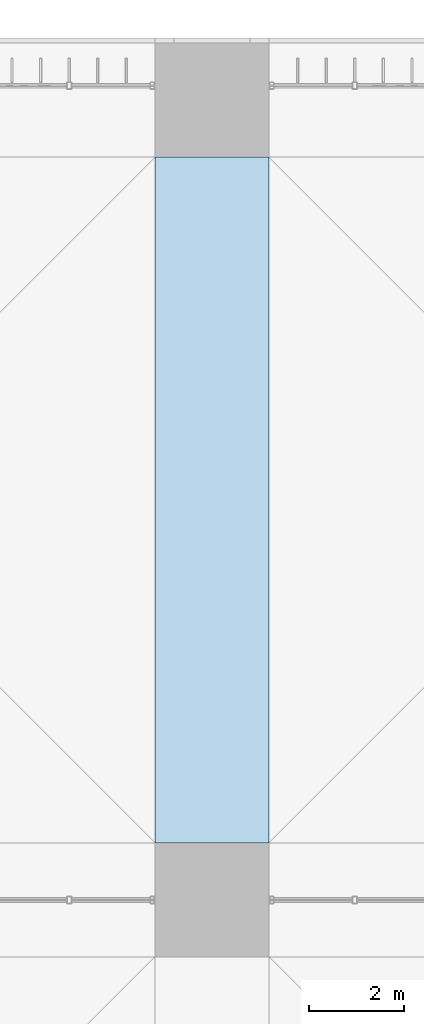
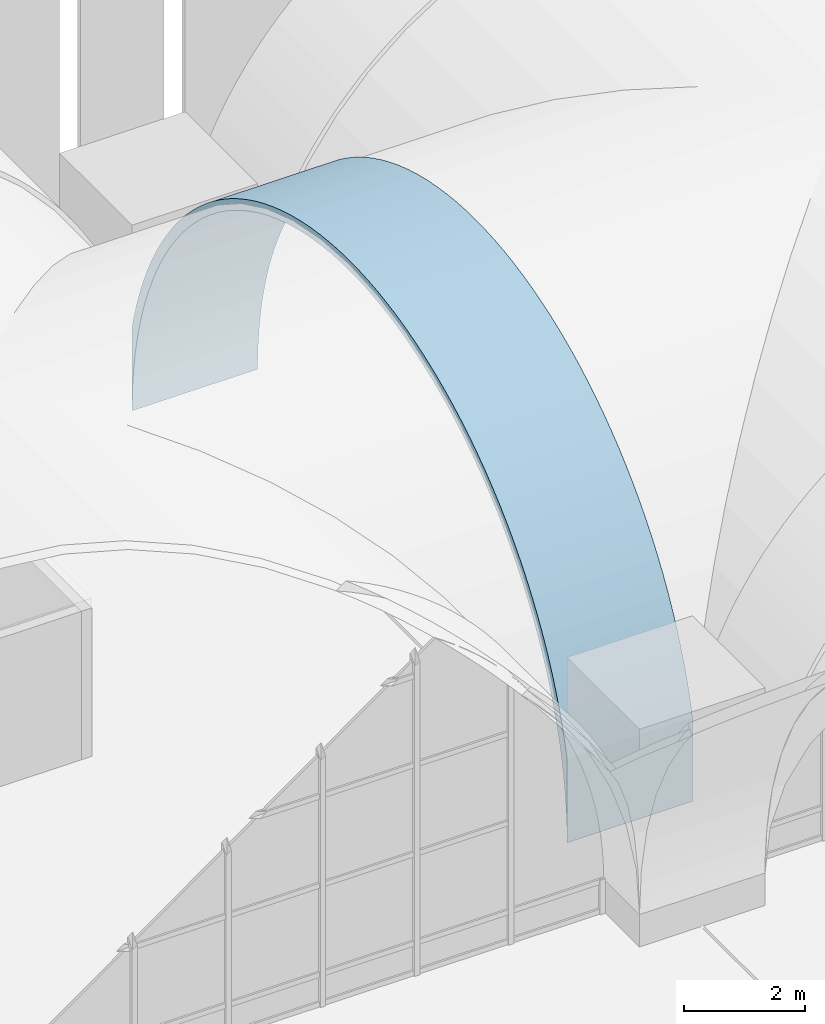
# One storey, part 138 of 169: 1 roof.
"""IFC4 building model written with IfcOpenShell, lengths in metres."""

from ifc_helpers import new_model, si_unit, direction, frame, origin, place, context, subcontext, project, spatial, polygons, material, layer, layer_set, type_object, element, save


model = new_model("IFC4")

# Units and contexts
model_context = context("Model", 3, precision=1e-05, world=origin(), true_north=direction((0.0, 1.0)))
body_context = subcontext(model_context, "Body", "Model", "MODEL_VIEW")
ifc_project = project(units=[si_unit("LENGTHUNIT", "METRE"), si_unit("AREAUNIT", "SQUARE_METRE"), si_unit("VOLUMEUNIT", "CUBIC_METRE"), si_unit("PLANEANGLEUNIT", "RADIAN"), si_unit("MASSUNIT", "GRAM", prefix="KILO")], contexts=[model_context])

# Site, building, storey
site_placement = place(None, origin())
site = spatial("IfcSite", under=ifc_project, at=site_placement, CompositionType="ELEMENT")
building_placement = place(site_placement, origin())
building = spatial("IfcBuilding", under=site, at=building_placement, Name="Verrick Yard Athletic Hall", CompositionType="ELEMENT")
storey_placement = place(building_placement, frame((0.0, 0.0, 4.39990234375)))
storey = spatial("IfcBuildingStorey", under=building, at=storey_placement, Name="L01", CompositionType="ELEMENT", Elevation=4.39990234375)

# Roof
ifc_material = material(Name="Concrete 35 MPa", Category="concrete")
ifc_layer = layer(ifc_material, 0.199951171875)
ifc_layer_set = layer_set([ifc_layer], Name="Arch rib 200")
roof_type = type_object("IfcRoofType", Name="Arch rib 200", PredefinedType="BARREL_ROOF", material=ifc_layer_set)
roof_placement = place(storey_placement, origin())
element("IfcRoof", 1, at=roof_placement, inside=storey, type_object=roof_type, Name="Vault rib X6-2", PredefinedType="BARREL_ROOF", context=body_context, shape_type="Tessellation", body=[
    polygons([(125.199951171875, 37.199951171875, 2.352294921875), (125.199951171875, 37.199951171875, 0.650146484375), (125.199951171875, 37.206787109375, 0.964111328125), (125.199951171875, 37.227294921875, 1.277587890625), (125.199951171875, 37.26171875, 1.58984375), (125.199951171875, 37.309326171875, 1.900390625), (125.199951171875, 37.37060546875, 2.20849609375), (125.199951171875, 37.4453125, 2.513671875), (125.199951171875, 37.533203125, 2.815185546875), (125.199951171875, 37.63427734375, 3.112548828125), (125.199951171875, 37.748046875, 3.405517578125), (125.199951171875, 37.87451171875, 3.693115234375), (125.199951171875, 38.013427734375, 3.974609375), (125.199951171875, 38.16455078125, 4.25), (125.199951171875, 38.32763671875, 4.518798828125), (125.199951171875, 38.502197265625, 4.77978515625), (125.199951171875, 38.68798828125, 5.033203125), (125.199951171875, 38.884521484375, 5.278076171875), (125.199951171875, 39.091552734375, 5.514404296875), (125.199951171875, 39.308837890625, 5.7412109375), (125.199951171875, 39.535888671875, 5.95849609375), (125.199951171875, 39.77197265625, 6.16552734375), (125.199951171875, 40.016845703125, 6.3623046875), (125.199951171875, 40.270263671875, 6.548095703125), (125.199951171875, 40.531494140625, 6.722412109375), (125.199951171875, 40.800048828125, 6.885498046875), (125.199951171875, 41.075439453125, 7.03662109375), (125.199951171875, 41.357177734375, 7.175537109375), (125.199951171875, 41.644775390625, 7.302001953125), (125.199951171875, 41.9375, 7.416015625), (125.199951171875, 42.23486328125, 7.516845703125), (125.199951171875, 42.53662109375, 7.604736328125), (125.199951171875, 42.841552734375, 7.679443359375), (125.199951171875, 43.149658203125, 7.74072265625), (125.199951171875, 43.460205078125, 7.78857421875), (125.199951171875, 43.7724609375, 7.82275390625), (125.199951171875, 44.0859375, 7.84326171875), (125.199951171875, 44.39990234375, 7.85009765625), (125.199951171875, 44.714111328125, 7.84326171875), (125.199951171875, 45.027587890625, 7.82275390625), (125.199951171875, 45.33984375, 7.78857421875), (125.199951171875, 45.650390625, 7.74072265625), (125.199951171875, 45.95849609375, 7.679443359375), (125.199951171875, 46.263427734375, 7.604736328125), (125.199951171875, 46.565185546875, 7.516845703125), (125.199951171875, 46.862548828125, 7.416015625), (125.199951171875, 47.1552734375, 7.302001953125), (125.199951171875, 47.44287109375, 7.175537109375), (125.199951171875, 47.724609375, 7.03662109375), (125.199951171875, 48.0, 6.885498046875), (125.199951171875, 48.2685546875, 6.722412109375), (125.199951171875, 48.52978515625, 6.548095703125), (125.199951171875, 48.783203125, 6.3623046875), (125.199951171875, 49.028076171875, 6.16552734375), (125.199951171875, 49.26416015625, 5.95849609375), (125.199951171875, 49.4912109375, 5.7412109375), (125.199951171875, 49.70849609375, 5.514404296875), (125.199951171875, 49.91552734375, 5.278076171875), (125.199951171875, 50.112060546875, 5.033203125), (125.199951171875, 50.2978515625, 4.77978515625), (125.199951171875, 50.472412109375, 4.518798828125), (125.199951171875, 50.635498046875, 4.25), (125.199951171875, 50.78662109375, 3.974609375), (125.199951171875, 50.92529296875, 3.693115234375), (125.199951171875, 51.052001953125, 3.405517578125), (125.199951171875, 51.165771484375, 3.112548828125), (125.199951171875, 51.266845703125, 2.815185546875), (125.199951171875, 51.354736328125, 2.513671875), (125.199951171875, 51.42919921875, 2.20849609375), (125.199951171875, 51.490478515625, 1.900390625), (125.199951171875, 51.538330078125, 1.58984375), (125.199951171875, 51.572509765625, 1.277587890625), (125.199951171875, 51.593017578125, 0.964111328125), (125.199951171875, 51.60009765625, 0.650146484375), (125.199951171875, 51.60009765625, 2.352294921875), (125.199951171875, 51.5478515625, 2.5654296875), (125.199951171875, 51.45751953125, 2.875244140625), (125.199951171875, 51.353759765625, 3.180908203125), (125.199951171875, 51.23681640625, 3.48193359375), (125.199951171875, 51.106689453125, 3.777587890625), (125.199951171875, 50.9638671875, 4.06689453125), (125.199951171875, 50.80859375, 4.35009765625), (125.199951171875, 50.64111328125, 4.6259765625), (125.199951171875, 50.461669921875, 4.89453125), (125.199951171875, 50.270751953125, 5.15478515625), (125.199951171875, 50.068603515625, 5.40673828125), (125.199951171875, 49.85595703125, 5.6494140625), (125.199951171875, 49.632568359375, 5.8828125), (125.199951171875, 49.3994140625, 6.10595703125), (125.199951171875, 49.156494140625, 6.31884765625), (125.199951171875, 48.90478515625, 6.52099609375), (125.199951171875, 48.64453125, 6.7119140625), (125.199951171875, 48.3759765625, 6.89111328125), (125.199951171875, 48.10009765625, 7.05859375), (125.199951171875, 47.81689453125, 7.214111328125), (125.199951171875, 47.52734375, 7.356689453125), (125.199951171875, 47.23193359375, 7.48681640625), (125.199951171875, 46.930908203125, 7.603759765625), (125.199951171875, 46.625244140625, 7.70751953125), (125.199951171875, 46.315185546875, 7.798095703125), (125.199951171875, 46.001708984375, 7.874755859375), (125.199951171875, 45.68505859375, 7.937744140625), (125.199951171875, 45.365966796875, 7.98681640625), (125.199951171875, 45.044921875, 8.02197265625), (125.199951171875, 44.722900390625, 8.043212890625), (125.199951171875, 44.39990234375, 8.050048828125), (125.199951171875, 44.0771484375, 8.043212890625), (125.199951171875, 43.7548828125, 8.02197265625), (125.199951171875, 43.43408203125, 7.98681640625), (125.199951171875, 43.114990234375, 7.937744140625), (125.199951171875, 42.79833984375, 7.874755859375), (125.199951171875, 42.484619140625, 7.798095703125), (125.199951171875, 42.1748046875, 7.70751953125), (125.199951171875, 41.869140625, 7.603759765625), (125.199951171875, 41.568115234375, 7.48681640625), (125.199951171875, 41.272705078125, 7.356689453125), (125.199951171875, 40.983154296875, 7.214111328125), (125.199951171875, 40.699951171875, 7.05859375), (125.199951171875, 40.424072265625, 6.89111328125), (125.199951171875, 40.155517578125, 6.7119140625), (125.199951171875, 39.895263671875, 6.52099609375), (125.199951171875, 39.643310546875, 6.31884765625), (125.199951171875, 39.400634765625, 6.10595703125), (125.199951171875, 39.16748046875, 5.8828125), (125.199951171875, 38.944091796875, 5.6494140625), (125.199951171875, 38.731201171875, 5.40673828125), (125.199951171875, 38.529296875, 5.15478515625), (125.199951171875, 38.33837890625, 4.89453125), (125.199951171875, 38.158935546875, 4.6259765625), (125.199951171875, 37.991455078125, 4.35009765625), (125.199951171875, 37.836181640625, 4.06689453125), (125.199951171875, 37.693359375, 3.777587890625), (125.199951171875, 37.563232421875, 3.48193359375), (125.199951171875, 37.4462890625, 3.180908203125), (125.199951171875, 37.342529296875, 2.875244140625), (125.199951171875, 37.252197265625, 2.5654296875), (122.800048828125, 37.199951171875, 2.352294921875), (122.800048828125, 37.199951171875, 0.650146484375), (122.800048828125, 37.206787109375, 0.964111328125), (122.800048828125, 37.227294921875, 1.277587890625), (122.800048828125, 37.26171875, 1.58984375), (122.800048828125, 37.309326171875, 1.900390625), (122.800048828125, 37.37060546875, 2.20849609375), (122.800048828125, 37.4453125, 2.513671875), (122.800048828125, 37.533203125, 2.815185546875), (122.800048828125, 37.63427734375, 3.112548828125), (122.800048828125, 37.748046875, 3.405517578125), (122.800048828125, 37.87451171875, 3.693115234375), (122.800048828125, 38.013427734375, 3.974609375), (122.800048828125, 38.16455078125, 4.25), (122.800048828125, 38.32763671875, 4.518798828125), (122.800048828125, 38.502197265625, 4.77978515625), (122.800048828125, 38.68798828125, 5.033203125), (122.800048828125, 38.884521484375, 5.278076171875), (122.800048828125, 39.091552734375, 5.514404296875), (122.800048828125, 39.308837890625, 5.7412109375), (122.800048828125, 39.535888671875, 5.95849609375), (122.800048828125, 39.77197265625, 6.16552734375), (122.800048828125, 40.016845703125, 6.3623046875), (122.800048828125, 40.270263671875, 6.548095703125), (122.800048828125, 40.531494140625, 6.722412109375), (122.800048828125, 40.800048828125, 6.885498046875), (122.800048828125, 41.075439453125, 7.03662109375), (122.800048828125, 41.357177734375, 7.175537109375), (122.800048828125, 41.644775390625, 7.302001953125), (122.800048828125, 41.9375, 7.416015625), (122.800048828125, 42.23486328125, 7.516845703125), (122.800048828125, 42.53662109375, 7.604736328125), (122.800048828125, 42.841552734375, 7.679443359375), (122.800048828125, 43.149658203125, 7.74072265625), (122.800048828125, 43.460205078125, 7.78857421875), (122.800048828125, 43.7724609375, 7.82275390625), (122.800048828125, 44.0859375, 7.84326171875), (122.800048828125, 44.39990234375, 7.85009765625), (122.800048828125, 44.714111328125, 7.84326171875), (122.800048828125, 45.027587890625, 7.82275390625), (122.800048828125, 45.33984375, 7.78857421875), (122.800048828125, 45.650390625, 7.74072265625), (122.800048828125, 45.95849609375, 7.679443359375), (122.800048828125, 46.263427734375, 7.604736328125), (122.800048828125, 46.565185546875, 7.516845703125), (122.800048828125, 46.862548828125, 7.416015625), (122.800048828125, 47.1552734375, 7.302001953125), (122.800048828125, 47.44287109375, 7.175537109375), (122.800048828125, 47.724609375, 7.03662109375), (122.800048828125, 48.0, 6.885498046875), (122.800048828125, 48.2685546875, 6.722412109375), (122.800048828125, 48.52978515625, 6.548095703125), (122.800048828125, 48.783203125, 6.3623046875), (122.800048828125, 49.028076171875, 6.16552734375), (122.800048828125, 49.26416015625, 5.95849609375), (122.800048828125, 49.4912109375, 5.7412109375), (122.800048828125, 49.70849609375, 5.514404296875), (122.800048828125, 49.91552734375, 5.278076171875), (122.800048828125, 50.112060546875, 5.033203125), (122.800048828125, 50.2978515625, 4.77978515625), (122.800048828125, 50.472412109375, 4.518798828125), (122.800048828125, 50.635498046875, 4.25), (122.800048828125, 50.78662109375, 3.974609375), (122.800048828125, 50.92529296875, 3.693115234375), (122.800048828125, 51.052001953125, 3.405517578125), (122.800048828125, 51.165771484375, 3.112548828125), (122.800048828125, 51.266845703125, 2.815185546875), (122.800048828125, 51.354736328125, 2.513671875), (122.800048828125, 51.42919921875, 2.20849609375), (122.800048828125, 51.490478515625, 1.900390625), (122.800048828125, 51.538330078125, 1.58984375), (122.800048828125, 51.572509765625, 1.277587890625), (122.800048828125, 51.593017578125, 0.964111328125), (122.800048828125, 51.60009765625, 0.650146484375), (122.800048828125, 51.60009765625, 2.352294921875), (122.800048828125, 51.5478515625, 2.5654296875), (122.800048828125, 51.45751953125, 2.875244140625), (122.800048828125, 51.353759765625, 3.180908203125), (122.800048828125, 51.23681640625, 3.48193359375), (122.800048828125, 51.106689453125, 3.777587890625), (122.800048828125, 50.9638671875, 4.06689453125), (122.800048828125, 50.80859375, 4.35009765625), (122.800048828125, 50.64111328125, 4.6259765625), (122.800048828125, 50.461669921875, 4.89453125), (122.800048828125, 50.270751953125, 5.15478515625), (122.800048828125, 50.068603515625, 5.40673828125), (122.800048828125, 49.85595703125, 5.6494140625), (122.800048828125, 49.632568359375, 5.8828125), (122.800048828125, 49.3994140625, 6.10595703125), (122.800048828125, 49.156494140625, 6.31884765625), (122.800048828125, 48.90478515625, 6.52099609375), (122.800048828125, 48.64453125, 6.7119140625), (122.800048828125, 48.3759765625, 6.89111328125), (122.800048828125, 48.10009765625, 7.05859375), (122.800048828125, 47.81689453125, 7.214111328125), (122.800048828125, 47.52734375, 7.356689453125), (122.800048828125, 47.23193359375, 7.48681640625), (122.800048828125, 46.930908203125, 7.603759765625), (122.800048828125, 46.625244140625, 7.70751953125), (122.800048828125, 46.315185546875, 7.798095703125), (122.800048828125, 46.001708984375, 7.874755859375), (122.800048828125, 45.68505859375, 7.937744140625), (122.800048828125, 45.365966796875, 7.98681640625), (122.800048828125, 45.044921875, 8.02197265625), (122.800048828125, 44.722900390625, 8.043212890625), (122.800048828125, 44.39990234375, 8.050048828125), (122.800048828125, 44.0771484375, 8.043212890625), (122.800048828125, 43.7548828125, 8.02197265625), (122.800048828125, 43.43408203125, 7.98681640625), (122.800048828125, 43.114990234375, 7.937744140625), (122.800048828125, 42.79833984375, 7.874755859375), (122.800048828125, 42.484619140625, 7.798095703125), (122.800048828125, 42.1748046875, 7.70751953125), (122.800048828125, 41.869140625, 7.603759765625), (122.800048828125, 41.568115234375, 7.48681640625), (122.800048828125, 41.272705078125, 7.356689453125), (122.800048828125, 40.983154296875, 7.214111328125), (122.800048828125, 40.699951171875, 7.05859375), (122.800048828125, 40.424072265625, 6.89111328125), (122.800048828125, 40.155517578125, 6.7119140625), (122.800048828125, 39.895263671875, 6.52099609375), (122.800048828125, 39.643310546875, 6.31884765625), (122.800048828125, 39.400634765625, 6.10595703125), (122.800048828125, 39.16748046875, 5.8828125), (122.800048828125, 38.944091796875, 5.6494140625), (122.800048828125, 38.731201171875, 5.40673828125), (122.800048828125, 38.529296875, 5.15478515625), (122.800048828125, 38.33837890625, 4.89453125), (122.800048828125, 38.158935546875, 4.6259765625), (122.800048828125, 37.991455078125, 4.35009765625), (122.800048828125, 37.836181640625, 4.06689453125), (122.800048828125, 37.693359375, 3.777587890625), (122.800048828125, 37.563232421875, 3.48193359375), (122.800048828125, 37.4462890625, 3.180908203125), (122.800048828125, 37.342529296875, 2.875244140625), (122.800048828125, 37.252197265625, 2.5654296875)], [[[1, 2, 3]], [[137, 139, 138]], [[136, 1, 3]], [[272, 139, 137]], [[136, 3, 4]], [[272, 140, 139]], [[136, 4, 5]], [[272, 141, 140]], [[136, 5, 6]], [[272, 142, 141]], [[136, 6, 7]], [[272, 143, 142]], [[136, 7, 8]], [[272, 144, 143]], [[136, 8, 9]], [[272, 145, 144]], [[136, 9, 10]], [[272, 146, 145]], [[136, 10, 11]], [[272, 147, 146]], [[136, 11, 12]], [[272, 148, 147]], [[136, 12, 13]], [[272, 149, 148]], [[73, 74, 75]], [[209, 211, 210]], [[72, 73, 75]], [[208, 211, 209]], [[71, 72, 75]], [[207, 211, 208]], [[70, 71, 75]], [[206, 211, 207]], [[69, 70, 75]], [[205, 211, 206]], [[68, 69, 75]], [[204, 211, 205]], [[67, 68, 75]], [[203, 211, 204]], [[66, 67, 75]], [[202, 211, 203]], [[65, 66, 75]], [[201, 211, 202]], [[64, 65, 75]], [[200, 211, 201]], [[63, 64, 75]], [[199, 211, 200]], [[63, 75, 76]], [[199, 212, 211]], [[63, 76, 77]], [[199, 213, 212]], [[62, 63, 77]], [[198, 213, 199]], [[62, 77, 78]], [[198, 214, 213]], [[61, 62, 78]], [[197, 214, 198]], [[61, 78, 79]], [[197, 215, 214]], [[60, 61, 79]], [[196, 215, 197]], [[60, 79, 80]], [[196, 216, 215]], [[59, 60, 80]], [[195, 216, 196]], [[59, 80, 81]], [[195, 217, 216]], [[58, 59, 81]], [[194, 217, 195]], [[58, 81, 82]], [[194, 218, 217]], [[57, 58, 82]], [[193, 218, 194]], [[57, 82, 83]], [[193, 219, 218]], [[56, 57, 83]], [[192, 219, 193]], [[56, 83, 84]], [[192, 220, 219]], [[55, 56, 84]], [[191, 220, 192]], [[55, 84, 85]], [[191, 221, 220]], [[54, 55, 85]], [[190, 221, 191]], [[54, 85, 86]], [[190, 222, 221]], [[53, 54, 86]], [[189, 222, 190]], [[53, 86, 87]], [[189, 223, 222]], [[52, 53, 87]], [[188, 223, 189]], [[52, 87, 88]], [[188, 224, 223]], [[51, 52, 88]], [[187, 224, 188]], [[51, 88, 89]], [[187, 225, 224]], [[50, 51, 89]], [[186, 225, 187]], [[50, 89, 90]], [[186, 226, 225]], [[49, 50, 90]], [[185, 226, 186]], [[49, 90, 91]], [[185, 227, 226]], [[48, 49, 91]], [[184, 227, 185]], [[48, 91, 92]], [[184, 228, 227]], [[47, 48, 92]], [[183, 228, 184]], [[47, 92, 93]], [[183, 229, 228]], [[46, 47, 93]], [[182, 229, 183]], [[46, 93, 94]], [[182, 230, 229]], [[45, 46, 94]], [[181, 230, 182]], [[45, 94, 95]], [[181, 231, 230]], [[44, 45, 95]], [[180, 231, 181]], [[44, 95, 96]], [[180, 232, 231]], [[43, 44, 96]], [[179, 232, 180]], [[43, 96, 97]], [[179, 233, 232]], [[42, 43, 97]], [[178, 233, 179]], [[42, 97, 98]], [[178, 234, 233]], [[41, 42, 98]], [[177, 234, 178]], [[41, 98, 99]], [[177, 235, 234]], [[40, 41, 99]], [[176, 235, 177]], [[40, 99, 100]], [[176, 236, 235]], [[39, 40, 100]], [[175, 236, 176]], [[39, 100, 101]], [[175, 237, 236]], [[38, 39, 101]], [[174, 237, 175]], [[38, 101, 102]], [[174, 238, 237]], [[37, 38, 102]], [[173, 238, 174]], [[37, 102, 103]], [[173, 239, 238]], [[36, 37, 103]], [[172, 239, 173]], [[36, 103, 104]], [[172, 240, 239]], [[35, 36, 104]], [[171, 240, 172]], [[35, 104, 105]], [[171, 241, 240]], [[34, 35, 105]], [[170, 241, 171]], [[34, 105, 106]], [[170, 242, 241]], [[33, 34, 106]], [[169, 242, 170]], [[33, 106, 107]], [[169, 243, 242]], [[32, 33, 107]], [[168, 243, 169]], [[32, 107, 108]], [[168, 244, 243]], [[31, 32, 108]], [[167, 244, 168]], [[31, 108, 109]], [[167, 245, 244]], [[30, 31, 109]], [[166, 245, 167]], [[30, 109, 110]], [[166, 246, 245]], [[29, 30, 110]], [[165, 246, 166]], [[29, 110, 111]], [[165, 247, 246]], [[28, 29, 111]], [[164, 247, 165]], [[28, 111, 112]], [[164, 248, 247]], [[27, 28, 112]], [[163, 248, 164]], [[27, 112, 113]], [[163, 249, 248]], [[26, 27, 113]], [[162, 249, 163]], [[26, 113, 114]], [[162, 250, 249]], [[25, 26, 114]], [[161, 250, 162]], [[25, 114, 115]], [[161, 251, 250]], [[24, 25, 115]], [[160, 251, 161]], [[24, 115, 116]], [[160, 252, 251]], [[23, 24, 116]], [[159, 252, 160]], [[23, 116, 117]], [[159, 253, 252]], [[22, 23, 117]], [[158, 253, 159]], [[22, 117, 118]], [[158, 254, 253]], [[21, 22, 118]], [[157, 254, 158]], [[21, 118, 119]], [[157, 255, 254]], [[20, 21, 119]], [[156, 255, 157]], [[20, 119, 120]], [[156, 256, 255]], [[19, 20, 120]], [[155, 256, 156]], [[19, 120, 121]], [[155, 257, 256]], [[18, 19, 121]], [[154, 257, 155]], [[18, 121, 122]], [[154, 258, 257]], [[17, 18, 122]], [[153, 258, 154]], [[17, 122, 123]], [[153, 259, 258]], [[16, 17, 123]], [[152, 259, 153]], [[16, 123, 124]], [[152, 260, 259]], [[15, 16, 124]], [[151, 260, 152]], [[15, 124, 125]], [[151, 261, 260]], [[14, 15, 125]], [[150, 261, 151]], [[14, 125, 126]], [[150, 262, 261]], [[13, 14, 126]], [[149, 262, 150]], [[136, 13, 126]], [[272, 262, 149]], [[136, 126, 127]], [[272, 263, 262]], [[136, 127, 128]], [[272, 264, 263]], [[136, 128, 129]], [[272, 265, 264]], [[136, 129, 130]], [[272, 266, 265]], [[136, 130, 131]], [[272, 267, 266]], [[136, 131, 132]], [[272, 268, 267]], [[136, 132, 133]], [[272, 269, 268]], [[136, 133, 134]], [[272, 270, 269]], [[134, 135, 136]], [[270, 272, 271]], [[1, 138, 2]], [[1, 137, 138]], [[2, 139, 3]], [[2, 138, 139]], [[3, 140, 4]], [[3, 139, 140]], [[4, 141, 5]], [[4, 140, 141]], [[5, 142, 6]], [[5, 141, 142]], [[6, 143, 7]], [[6, 142, 143]], [[7, 144, 8]], [[7, 143, 144]], [[8, 145, 9]], [[8, 144, 145]], [[9, 146, 10]], [[9, 145, 146]], [[10, 147, 11]], [[10, 146, 147]], [[11, 148, 12]], [[11, 147, 148]], [[12, 149, 13]], [[12, 148, 149]], [[13, 150, 14]], [[13, 149, 150]], [[14, 151, 15]], [[14, 150, 151]], [[15, 152, 16]], [[15, 151, 152]], [[16, 153, 17]], [[16, 152, 153]], [[17, 154, 18]], [[17, 153, 154]], [[18, 155, 19]], [[18, 154, 155]], [[19, 156, 20]], [[19, 155, 156]], [[20, 157, 21]], [[20, 156, 157]], [[21, 158, 22]], [[21, 157, 158]], [[22, 159, 23]], [[22, 158, 159]], [[23, 160, 24]], [[23, 159, 160]], [[24, 161, 25]], [[24, 160, 161]], [[25, 162, 26]], [[25, 161, 162]], [[26, 163, 27]], [[26, 162, 163]], [[27, 164, 28]], [[27, 163, 164]], [[28, 165, 29]], [[28, 164, 165]], [[29, 166, 30]], [[29, 165, 166]], [[30, 167, 31]], [[30, 166, 167]], [[31, 168, 32]], [[31, 167, 168]], [[32, 169, 33]], [[32, 168, 169]], [[33, 170, 34]], [[33, 169, 170]], [[34, 171, 35]], [[34, 170, 171]], [[35, 172, 36]], [[35, 171, 172]], [[36, 173, 37]], [[36, 172, 173]], [[37, 174, 38]], [[37, 173, 174]], [[38, 175, 39]], [[38, 174, 175]], [[39, 176, 40]], [[39, 175, 176]], [[40, 177, 41]], [[40, 176, 177]], [[41, 178, 42]], [[41, 177, 178]], [[42, 179, 43]], [[42, 178, 179]], [[43, 180, 44]], [[43, 179, 180]], [[44, 181, 45]], [[44, 180, 181]], [[45, 182, 46]], [[45, 181, 182]], [[46, 183, 47]], [[46, 182, 183]], [[47, 184, 48]], [[47, 183, 184]], [[48, 185, 49]], [[48, 184, 185]], [[49, 186, 50]], [[49, 185, 186]], [[50, 187, 51]], [[50, 186, 187]], [[51, 188, 52]], [[51, 187, 188]], [[52, 189, 53]], [[52, 188, 189]], [[53, 190, 54]], [[53, 189, 190]], [[54, 191, 55]], [[54, 190, 191]], [[55, 192, 56]], [[55, 191, 192]], [[56, 193, 57]], [[56, 192, 193]], [[57, 194, 58]], [[57, 193, 194]], [[58, 195, 59]], [[58, 194, 195]], [[59, 196, 60]], [[59, 195, 196]], [[60, 197, 61]], [[60, 196, 197]], [[61, 198, 62]], [[61, 197, 198]], [[62, 199, 63]], [[62, 198, 199]], [[63, 200, 64]], [[63, 199, 200]], [[64, 201, 65]], [[64, 200, 201]], [[65, 202, 66]], [[65, 201, 202]], [[66, 203, 67]], [[66, 202, 203]], [[67, 204, 68]], [[67, 203, 204]], [[68, 205, 69]], [[68, 204, 205]], [[69, 206, 70]], [[69, 205, 206]], [[70, 207, 71]], [[70, 206, 207]], [[71, 208, 72]], [[71, 207, 208]], [[72, 209, 73]], [[72, 208, 209]], [[73, 210, 74]], [[73, 209, 210]], [[74, 211, 75]], [[74, 210, 211]], [[75, 212, 76]], [[75, 211, 212]], [[76, 213, 77]], [[76, 212, 213]], [[77, 214, 78]], [[77, 213, 214]], [[78, 215, 79]], [[78, 214, 215]], [[79, 216, 80]], [[79, 215, 216]], [[80, 217, 81]], [[80, 216, 217]], [[81, 218, 82]], [[81, 217, 218]], [[82, 219, 83]], [[82, 218, 219]], [[83, 220, 84]], [[83, 219, 220]], [[84, 221, 85]], [[84, 220, 221]], [[85, 222, 86]], [[85, 221, 222]], [[86, 223, 87]], [[86, 222, 223]], [[87, 224, 88]], [[87, 223, 224]], [[88, 225, 89]], [[88, 224, 225]], [[89, 226, 90]], [[89, 225, 226]], [[90, 227, 91]], [[90, 226, 227]], [[91, 228, 92]], [[91, 227, 228]], [[92, 229, 93]], [[92, 228, 229]], [[93, 230, 94]], [[93, 229, 230]], [[94, 231, 95]], [[94, 230, 231]], [[95, 232, 96]], [[95, 231, 232]], [[96, 233, 97]], [[96, 232, 233]], [[97, 234, 98]], [[97, 233, 234]], [[98, 235, 99]], [[98, 234, 235]], [[99, 236, 100]], [[99, 235, 236]], [[100, 237, 101]], [[100, 236, 237]], [[101, 238, 102]], [[101, 237, 238]], [[102, 239, 103]], [[102, 238, 239]], [[103, 240, 104]], [[103, 239, 240]], [[104, 241, 105]], [[104, 240, 241]], [[105, 242, 106]], [[105, 241, 242]], [[106, 243, 107]], [[106, 242, 243]], [[107, 244, 108]], [[107, 243, 244]], [[108, 245, 109]], [[108, 244, 245]], [[109, 246, 110]], [[109, 245, 246]], [[110, 247, 111]], [[110, 246, 247]], [[111, 248, 112]], [[111, 247, 248]], [[112, 249, 113]], [[112, 248, 249]], [[113, 250, 114]], [[113, 249, 250]], [[114, 251, 115]], [[114, 250, 251]], [[115, 252, 116]], [[115, 251, 252]], [[116, 253, 117]], [[116, 252, 253]], [[117, 254, 118]], [[117, 253, 254]], [[118, 255, 119]], [[118, 254, 255]], [[119, 256, 120]], [[119, 255, 256]], [[120, 257, 121]], [[120, 256, 257]], [[121, 258, 122]], [[121, 257, 258]], [[122, 259, 123]], [[122, 258, 259]], [[123, 260, 124]], [[123, 259, 260]], [[124, 261, 125]], [[124, 260, 261]], [[125, 262, 126]], [[125, 261, 262]], [[126, 263, 127]], [[126, 262, 263]], [[127, 264, 128]], [[127, 263, 264]], [[128, 265, 129]], [[128, 264, 265]], [[129, 266, 130]], [[129, 265, 266]], [[130, 267, 131]], [[130, 266, 267]], [[131, 268, 132]], [[131, 267, 268]], [[132, 269, 133]], [[132, 268, 269]], [[133, 270, 134]], [[133, 269, 270]], [[134, 271, 135]], [[134, 270, 271]], [[135, 272, 136]], [[135, 271, 272]], [[136, 137, 1]], [[136, 272, 137]]], closed=True),
])

save(model, "model.ifc")
